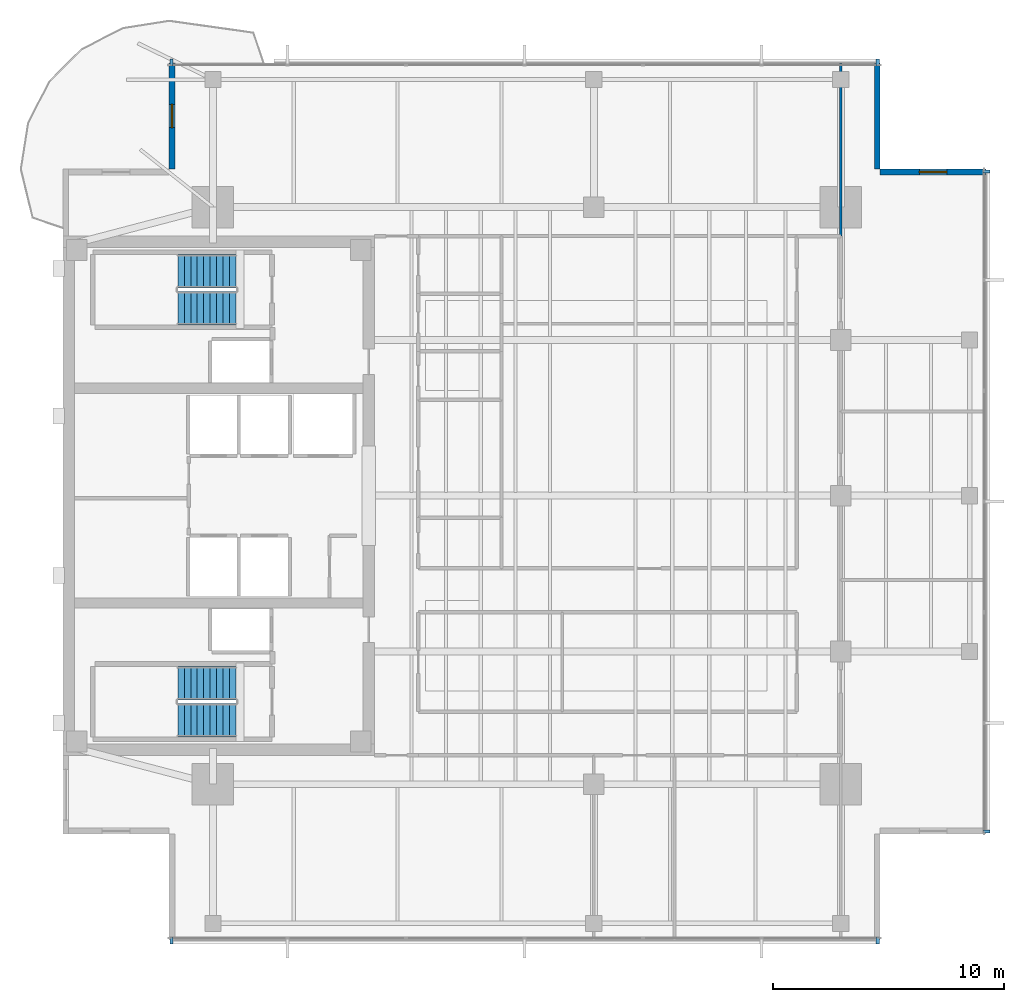
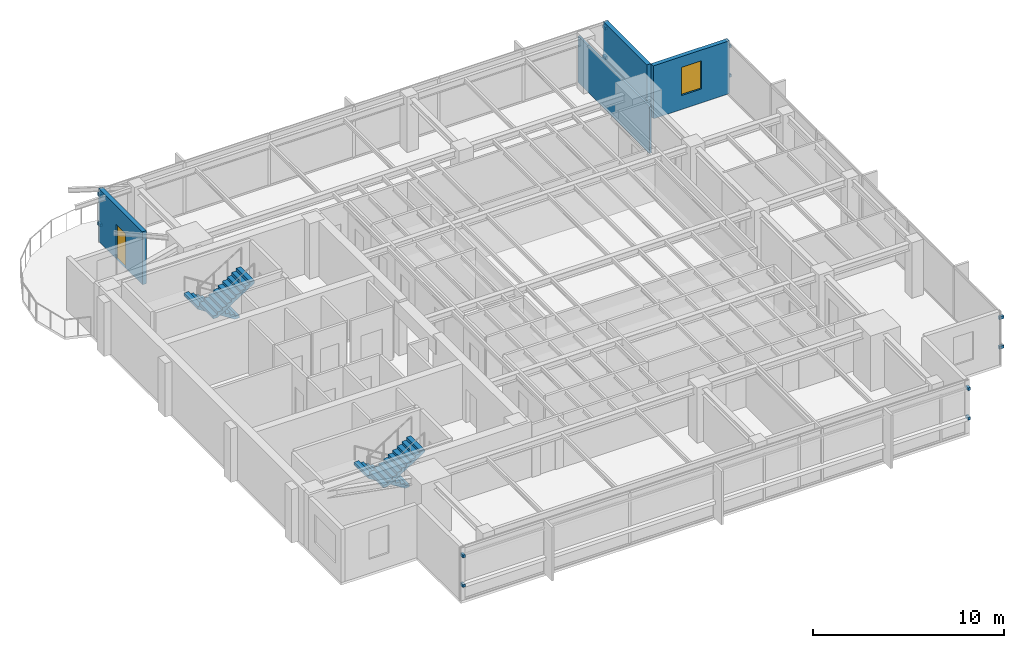
# One storey, part 10 of 14: 12 discrete accessories, 4 stair flights, 4 walls, 1 door, 1 window, 2 openings, 2 elements without a shape of their own.
"""IFC4 building model written with IfcOpenShell, lengths in metres."""

from ifc_helpers import new_model, si_unit, direction, frame, frame_2d, origin, origin_2d, place, context, subcontext, project, spatial, polyline, rectangle, outline, extrude, material, layer, layer_set, type_object, element, fill, aggregate, save


model = new_model("IFC4")

# Units and contexts
model_context = context("Model", 3, precision=1e-05, world=origin(), true_north=direction((0.0, 1.0)))
body_context = subcontext(model_context, "Body", "Model", "MODEL_VIEW")
ifc_project = project(units=[si_unit("LENGTHUNIT", "METRE"), si_unit("AREAUNIT", "SQUARE_METRE"), si_unit("VOLUMEUNIT", "CUBIC_METRE"), si_unit("PLANEANGLEUNIT", "RADIAN"), si_unit("MASSUNIT", "GRAM", prefix="KILO")], contexts=[model_context])

# Site, building, storey
site_placement = place(None, origin())
site = spatial("IfcSite", under=ifc_project, at=site_placement, CompositionType="ELEMENT")
building_placement = place(site_placement, origin())
building = spatial("IfcBuilding", under=site, at=building_placement, Name="Kinhvarn Gate Tower", CompositionType="ELEMENT")
storey_placement = place(building_placement, frame((0.0, 0.0, 274.10009765625)))
storey = spatial("IfcBuildingStorey", under=building, at=storey_placement, Name="L73", CompositionType="ELEMENT", Elevation=274.10009765625)

# Wall, opening, window
ifc_material_1 = material(Name="Fired architectural terracotta", Category="masonry")
ifc_layer_1 = layer(ifc_material_1, 0.25)
ifc_layer_set_1 = layer_set([ifc_layer_1], Name="Fired architectural terracotta")
wall_type_1 = type_object("IfcWallType", Name="WL-EXT-250", PredefinedType="SOLIDWALL", material=ifc_layer_set_1)
wall_1_placement = place(storey_placement, frame((44.5, 39.27490234375, 0.0), z_axis=(0.0, 0.0, 1.0), x_axis=(-1.0, 0.0, 0.0)))
wall_1 = element("IfcWall", 1, at=wall_1_placement, inside=storey, type_object=wall_type_1, Name="Exterior Solidwall Wall EW-250 (L73 NE-Notch-1)", PredefinedType="SOLIDWALL", context=body_context, shape_type="SweptSolid", body=[
    extrude(rectangle(XDim=4.60009765625, YDim=0.25, at=frame_2d((2.300048828125, 0.0))), origin(), (0.0, 0.0, 1.0), 3.389892578125),
])
opening_1_placement = place(wall_1_placement, frame((1.699951171875, 0.0, 0.89990234375)))
opening_1 = element("IfcOpeningElement", 2, at=opening_1_placement, cuts=wall_1, Name="Opening WN-02", PredefinedType="OPENING", context=body_context, shape_type="SweptSolid", body=[
    extrude(rectangle(XDim=1.199951171875, YDim=1.800048828125, at=frame_2d((0.60009765625, 0.89990234375))), frame((0.0, 0.135009765625, 0.0), z_axis=(0.0, -1.0, 0.0), x_axis=(1.0, 0.0, 0.0)), (0.0, 0.0, 1.0), 0.27001953125),
])
ifc_material_2 = material(Name="Clear low-e double glazing", Category="glass")
window_type = type_object("IfcWindowType", Name="WIN-NTC-1200", PartitioningType="SINGLE_PANEL", PredefinedType="WINDOW", material=ifc_material_2)
window_placement = place(opening_1_placement, origin())
window = element("IfcWindow", 3, at=window_placement, inside=storey, type_object=window_type, Name="Recessed Corner Notch Punched Window 1200x1800 mm (L73)", OverallHeight=1.800048828125, OverallWidth=1.199951171875, PartitioningType="SINGLE_PANEL", PredefinedType="WINDOW", context=body_context, shape_type="SweptSolid", body=[
    extrude(rectangle(XDim=1.199951171875, YDim=1.800048828125, at=frame_2d((0.60009765625, 0.89990234375))), frame((0.0, 0.030029296875, 0.0), z_axis=(0.0, -1.0, 0.0), x_axis=(1.0, 0.0, 0.0)), (0.0, 0.0, 1.0), 0.06005859375),
])
fill(opening_1, window)

# Wall
wall_2_placement = place(storey_placement, frame((39.77490234375, 39.39990234375, 0.0), z_axis=(0.0, 0.0, 1.0), x_axis=(0.0, 1.0, 0.0)))
element("IfcWall", 4, at=wall_2_placement, inside=storey, type_object=wall_type_1, Name="Exterior Solidwall Wall EW-250 (L73 NE-Notch-2)", PredefinedType="SOLIDWALL", context=body_context, shape_type="SweptSolid", body=[
    extrude(rectangle(XDim=4.60009765625, YDim=0.25, at=frame_2d((2.300048828125, 0.0))), origin(), (0.0, 0.0, 1.0), 3.389892578125),
])

# Wall, opening, door
wall_3_placement = place(storey_placement, frame((9.22509765625, 44.0, 0.0), z_axis=(0.0, 0.0, 1.0), x_axis=(0.0, -1.0, 0.0)))
wall_3 = element("IfcWall", 5, at=wall_3_placement, inside=storey, type_object=wall_type_1, Name="Exterior Solidwall Wall EW-250 (L73 NW-Notch-Door)", PredefinedType="SOLIDWALL", context=body_context, shape_type="SweptSolid", body=[
    extrude(rectangle(XDim=4.60009765625, YDim=0.25, at=frame_2d((2.300048828125, 0.0))), origin(), (0.0, 0.0, 1.0), 3.389892578125),
])
opening_2_placement = place(wall_3_placement, frame((1.800048828125, 0.0, 0.0)))
opening_2 = element("IfcOpeningElement", 6, at=opening_2_placement, cuts=wall_3, Name="Opening BD-01", PredefinedType="OPENING", context=body_context, shape_type="SweptSolid", body=[
    extrude(rectangle(XDim=1.0, YDim=2.199951171875, at=frame_2d((0.5, 1.10009765625))), frame((0.0, 0.135009765625, 0.0), z_axis=(0.0, -1.0, 0.0), x_axis=(1.0, 0.0, 0.0)), (0.0, 0.0, 1.0), 0.27001953125),
])
door_type = type_object("IfcDoorType", Name="DR-BAL-1000", OperationType="NOTDEFINED", PredefinedType="DOOR", material=ifc_material_2)
door_placement = place(opening_2_placement, frame((1.0, 0.0, 0.0), z_axis=(0.0, 0.0, 1.0), x_axis=(-1.0, 0.0, 0.0)))
door = element("IfcDoor", 7, at=door_placement, inside=storey, type_object=door_type, Name="S-Carve Balcony Door BD-01 (L73)", OperationType="SINGLE_SWING_RIGHT", OverallHeight=2.199951171875, OverallWidth=1.0, PredefinedType="DOOR", context=body_context, shape_type="SweptSolid", body=[
    extrude(rectangle(XDim=1.0, YDim=2.199951171875, at=frame_2d((0.5, 1.10009765625))), frame((0.0, 0.02490234375, 0.0), z_axis=(0.0, -1.0, 0.0), x_axis=(1.0, 0.0, 0.0)), (0.0, 0.0, 1.0), 0.050048828125),
])
fill(opening_2, door)

# Wall
ifc_material_3 = material(Name="Gypsum acoustic partition board")
ifc_layer_2 = layer(ifc_material_3, 0.1201171875)
ifc_layer_set_2 = layer_set([ifc_layer_2], Name="Gypsum acoustic partition board")
wall_type_2 = type_object("IfcWallType", Name="WL-PRT-120", PredefinedType="PARTITIONING", material=ifc_layer_set_2)
wall_4_placement = place(storey_placement, frame((38.199951171875, 36.5, 0.0), z_axis=(0.0, 0.0, 1.0), x_axis=(0.0, 1.0, 0.0)))
element("IfcWall", 8, at=wall_4_placement, inside=storey, type_object=wall_type_2, Name="Interior Partition PW-120 (L73)", PredefinedType="PARTITIONING", context=body_context, shape_type="SweptSolid", body=[
    extrude(rectangle(XDim=7.489990234375, YDim=0.1201171875, at=frame_2d((3.7451171875, 0.0))), origin(), (0.0, 0.0, 1.0), 2.989990234375),
])

# Stair, stair flights
ifc_material_4 = material(Name="Concrete C40/50", Category="concrete")
stair_type = type_object("IfcStairType", Name="STR-DLG-177", PredefinedType="HALF_TURN_STAIR", material=ifc_material_4)
stair_1_placement = place(storey_placement, origin())
stair_1 = element("IfcStair", 9, at=stair_1_placement, inside=storey, type_object=stair_type, Name="L73 Core Smokeproof Exit Stair ST1", PredefinedType="HALF_TURN_STAIR")
stair_flight_type = type_object("IfcStairFlightType", Name="STF-DLG-177", PredefinedType="STRAIGHT", material=ifc_material_4)
stair_flight_1_placement = place(storey_placement, frame((12.0, 17.125, 0.0), z_axis=(0.0, 0.0, 1.0), x_axis=(-1.0, 0.0, 0.0)))
stair_flight_1 = element("IfcStairFlight", 10, at=stair_flight_1_placement, type_object=stair_flight_type, Name="ST1 flight 1", NumberOfRisers=10, NumberOfTreads=9, PredefinedType="STRAIGHT", RiserHeight=0.1775, TreadLength=0.28, context=body_context, shape_type="SweptSolid", body=[
    extrude(outline(polyline([(0.0, 0.0), (0.0, 0.177490234375), (0.280029296875, 0.177490234375), (0.280029296875, 0.35498046875), (0.56005859375, 0.35498046875), (0.56005859375, 0.532470703125), (0.840087890625, 0.532470703125), (0.840087890625, 0.7099609375), (1.1201171875, 0.7099609375), (1.1201171875, 0.887451171875), (1.39990234375, 0.887451171875), (1.39990234375, 1.06494140625), (1.679931640625, 1.06494140625), (1.679931640625, 1.242431640625), (1.9599609375, 1.242431640625), (1.9599609375, 1.419921875), (2.239990234375, 1.419921875), (2.239990234375, 1.597412109375), (2.52001953125, 1.597412109375), (2.52001953125, 1.77490234375), (2.52001953125, 1.419921875), (0.280029296875, 0.0), (0.0, 0.0)])), frame((0.0, 0.72509765625, 0.0), z_axis=(0.0, -1.0, 0.0), x_axis=(1.0, 0.0, 0.0)), (0.0, 0.0, 1.0), 1.449951171875),
])
stair_flight_2_placement = place(storey_placement, frame((9.47998046875, 15.52490234375, 1.77490234375), z_axis=(0.0, 0.0, 1.0), x_axis=(1.0, 0.0, 0.0)))
stair_flight_2 = element("IfcStairFlight", 11, at=stair_flight_2_placement, type_object=stair_flight_type, Name="ST1 flight 2", NumberOfRisers=10, NumberOfTreads=9, PredefinedType="STRAIGHT", RiserHeight=0.1775, TreadLength=0.28, context=body_context, shape_type="SweptSolid", body=[
    extrude(outline(polyline([(0.0, 0.0), (0.0, 0.177490234375), (0.280029296875, 0.177490234375), (0.280029296875, 0.35498046875), (0.56005859375, 0.35498046875), (0.56005859375, 0.532470703125), (0.840087890625, 0.532470703125), (0.840087890625, 0.7099609375), (1.1201171875, 0.7099609375), (1.1201171875, 0.887451171875), (1.39990234375, 0.887451171875), (1.39990234375, 1.06494140625), (1.679931640625, 1.06494140625), (1.679931640625, 1.242431640625), (1.9599609375, 1.242431640625), (1.9599609375, 1.419921875), (2.239990234375, 1.419921875), (2.239990234375, 1.597412109375), (2.52001953125, 1.597412109375), (2.52001953125, 1.77490234375), (2.52001953125, 1.419921875), (0.280029296875, 0.0), (0.0, 0.0)])), frame((0.0, 0.72509765625, 0.0), z_axis=(0.0, -1.0, 0.0), x_axis=(1.0, 0.0, 0.0)), (0.0, 0.0, 1.0), 1.449951171875),
])
aggregate(stair_1, [stair_flight_1, stair_flight_2])

stair_2_placement = place(storey_placement, origin())
stair_2 = element("IfcStair", 12, at=stair_2_placement, inside=storey, type_object=stair_type, Name="L73 Core Smokeproof Exit Stair ST2", PredefinedType="HALF_TURN_STAIR")
stair_flight_3_placement = place(storey_placement, frame((12.0, 34.97509765625, 0.0), z_axis=(0.0, 0.0, 1.0), x_axis=(-1.0, 0.0, 0.0)))
stair_flight_3 = element("IfcStairFlight", 13, at=stair_flight_3_placement, type_object=stair_flight_type, Name="ST2 flight 1", NumberOfRisers=10, NumberOfTreads=9, PredefinedType="STRAIGHT", RiserHeight=0.1775, TreadLength=0.28, context=body_context, shape_type="SweptSolid", body=[
    extrude(outline(polyline([(0.0, 0.0), (0.0, 0.177490234375), (0.280029296875, 0.177490234375), (0.280029296875, 0.35498046875), (0.56005859375, 0.35498046875), (0.56005859375, 0.532470703125), (0.840087890625, 0.532470703125), (0.840087890625, 0.7099609375), (1.1201171875, 0.7099609375), (1.1201171875, 0.887451171875), (1.39990234375, 0.887451171875), (1.39990234375, 1.06494140625), (1.679931640625, 1.06494140625), (1.679931640625, 1.242431640625), (1.9599609375, 1.242431640625), (1.9599609375, 1.419921875), (2.239990234375, 1.419921875), (2.239990234375, 1.597412109375), (2.52001953125, 1.597412109375), (2.52001953125, 1.77490234375), (2.52001953125, 1.419921875), (0.280029296875, 0.0), (0.0, 0.0)])), frame((0.0, 0.72509765625, 0.0), z_axis=(0.0, -1.0, 0.0), x_axis=(1.0, 0.0, 0.0)), (0.0, 0.0, 1.0), 1.449951171875),
])
stair_flight_4_placement = place(storey_placement, frame((9.47998046875, 33.375, 1.77490234375), z_axis=(0.0, 0.0, 1.0), x_axis=(1.0, 0.0, 0.0)))
stair_flight_4 = element("IfcStairFlight", 14, at=stair_flight_4_placement, type_object=stair_flight_type, Name="ST2 flight 2", NumberOfRisers=10, NumberOfTreads=9, PredefinedType="STRAIGHT", RiserHeight=0.1775, TreadLength=0.28, context=body_context, shape_type="SweptSolid", body=[
    extrude(outline(polyline([(0.0, 0.0), (0.0, 0.177490234375), (0.280029296875, 0.177490234375), (0.280029296875, 0.35498046875), (0.56005859375, 0.35498046875), (0.56005859375, 0.532470703125), (0.840087890625, 0.532470703125), (0.840087890625, 0.7099609375), (1.1201171875, 0.7099609375), (1.1201171875, 0.887451171875), (1.39990234375, 0.887451171875), (1.39990234375, 1.06494140625), (1.679931640625, 1.06494140625), (1.679931640625, 1.242431640625), (1.9599609375, 1.242431640625), (1.9599609375, 1.419921875), (2.239990234375, 1.419921875), (2.239990234375, 1.597412109375), (2.52001953125, 1.597412109375), (2.52001953125, 1.77490234375), (2.52001953125, 1.419921875), (0.280029296875, 0.0), (0.0, 0.0)])), frame((0.0, 0.72509765625, 0.0), z_axis=(0.0, -1.0, 0.0), x_axis=(1.0, 0.0, 0.0)), (0.0, 0.0, 1.0), 1.449951171875),
])
aggregate(stair_2, [stair_flight_3, stair_flight_4])

# Discrete accessories
ifc_material_5 = material(Name="Anodised aluminium AW-6063", Category="aluminium")
discrete_accessory_type = type_object("IfcDiscreteAccessoryType", Name="ACC-BRK-01", PredefinedType="BRACKET", material=ifc_material_5)
for number, where, z_axis, x_axis, name in (
    (15, (9.199951171875, 5.969970703125, 0.9599609375), (0.0, 0.0, 1.0), (1.0, 0.0, 0.0), "Baguette Support Bracket BK-01 (L73)"),
    (16, (9.199951171875, 5.969970703125, 2.85009765625), (0.0, 0.0, 1.0), (1.0, 0.0, 0.0), "Baguette Support Bracket BK-01 (L73)"),
    (17, (39.800048828125, 5.969970703125, 0.9599609375), (0.0, 0.0, 1.0), (1.0, 0.0, 0.0), "Baguette Support Bracket BK-01 (L73)"),
    (18, (39.800048828125, 5.969970703125, 2.85009765625), (0.0, 0.0, 1.0), (1.0, 0.0, 0.0), "Baguette Support Bracket BK-01 (L73)"),
    (19, (39.800048828125, 44.030029296875, 0.9599609375), (0.0, 0.0, 1.0), (-1.0, 0.0, 0.0), "Baguette Support Bracket BK-01 (L73)"),
    (20, (39.800048828125, 44.030029296875, 2.85009765625), (0.0, 0.0, 1.0), (-1.0, 0.0, 0.0), "Baguette Support Bracket BK-01 (L73)"),
    (21, (9.199951171875, 44.030029296875, 0.9599609375), (0.0, 0.0, 1.0), (-1.0, 0.0, 0.0), "Baguette Support Bracket BK-01 (L73)"),
    (22, (9.199951171875, 44.030029296875, 2.85009765625), (0.0, 0.0, 1.0), (-1.0, 0.0, 0.0), "Baguette Support Bracket BK-01 (L73)"),
    (23, (44.530029296875, 10.699951171875, 0.9599609375), (0.0, 0.0, 1.0), (0.0, 1.0, 0.0), "Baguette Support Bracket BK-01 (L73)"),
    (24, (44.530029296875, 10.699951171875, 2.85009765625), (0.0, 0.0, 1.0), (0.0, 1.0, 0.0), "Baguette Support Bracket BK-01 (L73)"),
    (25, (44.530029296875, 39.300048828125, 0.9599609375), (0.0, 0.0, 1.0), (0.0, 1.0, 0.0), "Baguette Support Bracket BK-01 (L73)"),
    (26, (44.530029296875, 39.300048828125, 2.85009765625), (0.0, 0.0, 1.0), (0.0, 1.0, 0.0), "Baguette Support Bracket BK-01 (L73)"),
):
    element("IfcDiscreteAccessory", number, at=place(storey_placement, frame(where, z_axis=z_axis, x_axis=x_axis)), inside=storey, type_object=discrete_accessory_type, Name=name, PredefinedType="BRACKET", context=body_context, shape_type="SweptSolid", body=[
        extrude(rectangle(XDim=0.139892578125, YDim=0.280029296875, at=origin_2d()), origin(), (0.0, 0.0, 1.0), 0.179931640625),
    ])

save(model, "model.ifc")
